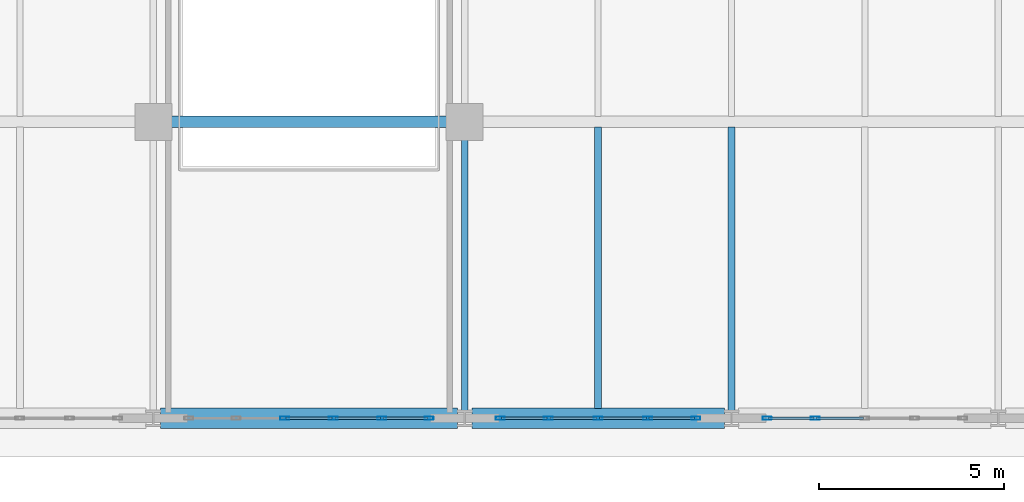
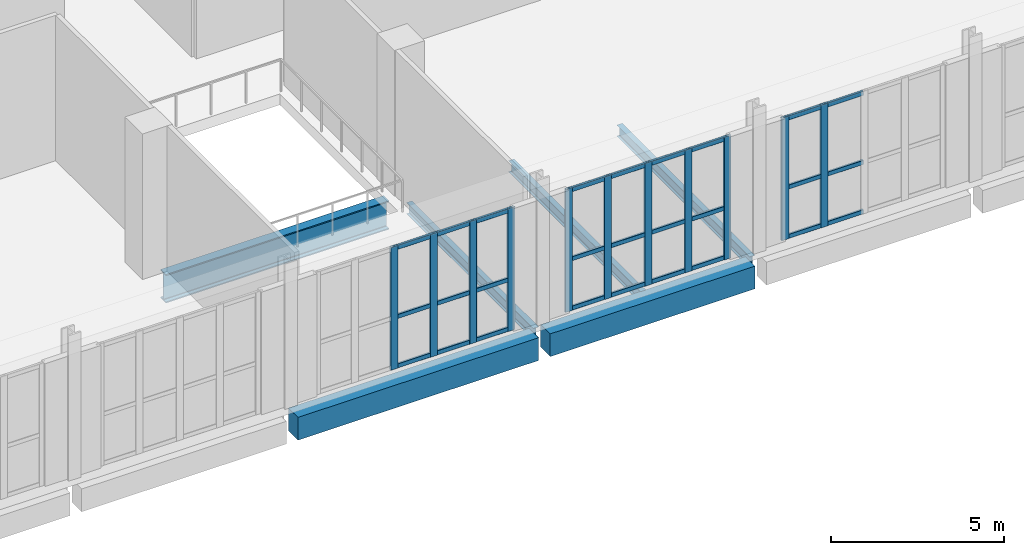
# One storey, part 8 of 26: 38 members, 6 beams, 3 elements without a shape of their own.
"""IFC4 building model written with IfcOpenShell, lengths in metres."""

from ifc_helpers import new_model, si_unit, direction, frame, origin, origin_2d, place, context, subcontext, project, spatial, rectangle, hollow_rectangle, i_section, extrude, material, layer, layer_set, material_profile, profile_set, type_object, element, aggregate, save


model = new_model("IFC4")

# Units and contexts
model_context = context("Model", 3, precision=1e-05, world=origin(), true_north=direction((0.0, 1.0)))
body_context = subcontext(model_context, "Body", "Model", "MODEL_VIEW")
ifc_project = project(units=[si_unit("LENGTHUNIT", "METRE"), si_unit("AREAUNIT", "SQUARE_METRE"), si_unit("VOLUMEUNIT", "CUBIC_METRE"), si_unit("PLANEANGLEUNIT", "RADIAN"), si_unit("MASSUNIT", "GRAM", prefix="KILO")], contexts=[model_context])

# Site, building, storey
site_placement = place(None, origin())
site = spatial("IfcSite", under=ifc_project, at=site_placement, CompositionType="ELEMENT")
building_placement = place(site_placement, origin())
building = spatial("IfcBuilding", under=site, at=building_placement, Name="Kaelvorn Grand Hotel", CompositionType="ELEMENT")
storey_placement = place(building_placement, frame((0.0, 0.0, 300.199951171875)))
storey = spatial("IfcBuildingStorey", under=building, at=storey_placement, Name="L73", CompositionType="ELEMENT", Elevation=300.199951171875)

# Beams
ifc_material_1 = material(Name="Steel S460", Category="steel")
ifc_material_profile_1 = material_profile(ifc_material_1, i_section(OverallWidth=0.302001953125, OverallDepth=1.008056640625, WebThickness=0.02099609375, FlangeThickness=0.0400390625, FilletRadius=0.024169921875, at=origin_2d()), Name="UB 1016x305x349")
ifc_profile_set_1 = profile_set([ifc_material_profile_1], Name="Steel S460")
beam_type_1 = type_object("IfcBeamType", Name="BM-G-UB1016-S460", PredefinedType="BEAM", material=ifc_profile_set_1)
beam_1_placement = place(storey_placement, frame((38.284912109375, 15.0, -0.884033203125), z_axis=(1.0, 0.0, 0.0), x_axis=(0.0, 1.0, 0.0)))
element("IfcBeam", 1, at=beam_1_placement, inside=storey, type_object=beam_type_1, Name="L73 Primary Spine Steel Girder G-15 03", PredefinedType="BEAM", context=body_context, shape_type="SweptSolid", body=[
    extrude(i_section(OverallWidth=0.302001953125, OverallDepth=1.008056640625, WebThickness=0.02099609375, FlangeThickness=0.0400390625, FilletRadius=0.024169921875, at=origin_2d()), origin(), (0.0, 0.0, 1.0), 7.43017578125),
])
ifc_material_2 = material(Name="Steel S355", Category="steel")
ifc_material_profile_2 = material_profile(ifc_material_2, i_section(OverallWidth=0.179931640625, OverallDepth=0.39990234375, WebThickness=0.008544921875, FlangeThickness=0.013427734375, FilletRadius=0.02099609375, at=origin_2d()), Name="IPE 400")
ifc_profile_set_2 = profile_set([ifc_material_profile_2], Name="Steel S355")
beam_type_2 = type_object("IfcBeamType", Name="BM-J-IPE400-S355", PredefinedType="JOIST", material=ifc_profile_set_2)
beam_2_placement = place(storey_placement, frame((46.199951171875, 7.205078125, -0.579833984375), z_axis=(0.0, 1.0, 0.0), x_axis=(-1.0, 0.0, 0.0)))
element("IfcBeam", 2, at=beam_2_placement, inside=storey, type_object=beam_type_2, Name="L73 Composite Floor Joist JS-13", PredefinedType="JOIST", context=body_context, shape_type="SweptSolid", body=[
    extrude(i_section(OverallWidth=0.179931640625, OverallDepth=0.39990234375, WebThickness=0.008544921875, FlangeThickness=0.013427734375, FilletRadius=0.02099609375, at=origin_2d()), origin(), (0.0, 0.0, 1.0), 7.309814453125),
])
beam_3_placement = place(storey_placement, frame((49.800048828125, 7.260009765625, -0.579833984375), z_axis=(0.0, 1.0, 0.0), x_axis=(-1.0, 0.0, 0.0)))
element("IfcBeam", 3, at=beam_3_placement, inside=storey, type_object=beam_type_2, Name="L73 Composite Floor Joist JS-14", PredefinedType="JOIST", context=body_context, shape_type="SweptSolid", body=[
    extrude(i_section(OverallWidth=0.179931640625, OverallDepth=0.39990234375, WebThickness=0.008544921875, FlangeThickness=0.013427734375, FilletRadius=0.02099609375, at=origin_2d()), origin(), (0.0, 0.0, 1.0), 7.60400390625),
])
beam_4_placement = place(storey_placement, frame((53.39990234375, 7.205078125, -0.579833984375), z_axis=(0.0, 1.0, 0.0), x_axis=(-1.0, 0.0, 0.0)))
element("IfcBeam", 4, at=beam_4_placement, inside=storey, type_object=beam_type_2, Name="L73 Composite Floor Joist JS-15", PredefinedType="JOIST", context=body_context, shape_type="SweptSolid", body=[
    extrude(i_section(OverallWidth=0.179931640625, OverallDepth=0.39990234375, WebThickness=0.008544921875, FlangeThickness=0.013427734375, FilletRadius=0.02099609375, at=origin_2d()), origin(), (0.0, 0.0, 1.0), 7.658935546875),
])
ifc_material_3 = material(Name="Concrete C50/60", Category="concrete")
ifc_material_profile_3 = material_profile(ifc_material_3, rectangle(XDim=0.550048828125, YDim=0.800048828125, at=origin_2d()), Name="RC SPANDREL 550x800")
ifc_profile_set_3 = profile_set([ifc_material_profile_3], Name="Concrete C50/60")
beam_type_3 = type_object("IfcBeamType", Name="BM-SP-550x800-C50", PredefinedType="SPANDREL", material=ifc_profile_set_3)
beam_5_placement = place(storey_placement, frame((37.9951171875, 7.0, -0.780029296875), z_axis=(1.0, 0.0, 0.0), x_axis=(0.0, 1.0, 0.0)))
element("IfcBeam", 5, at=beam_5_placement, inside=storey, type_object=beam_type_3, Name="L73 South Perimeter Spandrel 05", PredefinedType="SPANDREL", context=body_context, shape_type="SweptSolid", body=[
    extrude(rectangle(XDim=0.550048828125, YDim=0.800048828125, at=origin_2d()), origin(), (0.0, 0.0, 1.0), 8.009765625),
])
beam_6_placement = place(storey_placement, frame((46.39501953125, 7.0, -0.780029296875), z_axis=(1.0, 0.0, 0.0), x_axis=(0.0, 1.0, 0.0)))
element("IfcBeam", 6, at=beam_6_placement, inside=storey, type_object=beam_type_3, Name="L73 South Perimeter Spandrel 06", PredefinedType="SPANDREL", context=body_context, shape_type="SweptSolid", body=[
    extrude(rectangle(XDim=0.550048828125, YDim=0.800048828125, at=origin_2d()), origin(), (0.0, 0.0, 1.0), 6.81005859375),
])

# Curtain wall, members
ifc_material_4 = material(Name="Anodised Aluminium", Category="aluminium")
ifc_layer = layer(ifc_material_4, 0.239990234375)
ifc_layer_set = layer_set([ifc_layer], Name="Anodised Aluminium")
curtain_wall_type = type_object("IfcCurtainWallType", Name="CW-SYS5", PredefinedType="NOTDEFINED", material=ifc_layer_set)
curtain_wall_1_placement = place(storey_placement, origin())
curtain_wall_1 = element("IfcCurtainWall", 7, at=curtain_wall_1_placement, inside=storey, type_object=curtain_wall_type, Name="L73 Unitised Curtain Wall CW5 (CW-L73-S-04)", PredefinedType="NOTDEFINED")
ifc_material_profile_4 = material_profile(ifc_material_4, hollow_rectangle(XDim=0.080078125, YDim=0.239990234375, WallThickness=0.0048828125, InnerFilletRadius=0.0048828125, OuterFilletRadius=0.010009765625, at=origin_2d()), Name="ALU MULL 80x240")
ifc_profile_set_4 = profile_set([ifc_material_profile_4], Name="Anodised Aluminium")
member_type_1 = type_object("IfcMemberType", Name="CW-SYS5-MULL", PredefinedType="MULLION", material=ifc_profile_set_4)
member_1_placement = place(storey_placement, frame((41.343994140625, 7.0, 0.0), z_axis=(0.0, 0.0, 1.0), x_axis=(0.0, 1.0, 0.0)))
member_1 = element("IfcMember", 8, at=member_1_placement, type_object=member_type_1, Name="CW5 mullion 3", PredefinedType="MULLION", context=body_context, shape_type="SweptSolid", body=[
    extrude(hollow_rectangle(XDim=0.080078125, YDim=0.239990234375, WallThickness=0.0048828125, InnerFilletRadius=0.0048828125, OuterFilletRadius=0.010009765625, at=origin_2d()), origin(), (0.0, 0.0, 1.0), 4.320068359375),
])
member_2_placement = place(storey_placement, frame((42.656005859375, 7.0, 0.0), z_axis=(0.0, 0.0, 1.0), x_axis=(0.0, 1.0, 0.0)))
member_2 = element("IfcMember", 9, at=member_2_placement, type_object=member_type_1, Name="CW5 mullion 4", PredefinedType="MULLION", context=body_context, shape_type="SweptSolid", body=[
    extrude(hollow_rectangle(XDim=0.080078125, YDim=0.239990234375, WallThickness=0.0048828125, InnerFilletRadius=0.0048828125, OuterFilletRadius=0.010009765625, at=origin_2d()), origin(), (0.0, 0.0, 1.0), 4.320068359375),
])
member_3_placement = place(storey_placement, frame((43.968017578125, 7.0, 0.0), z_axis=(0.0, 0.0, 1.0), x_axis=(0.0, 1.0, 0.0)))
member_3 = element("IfcMember", 10, at=member_3_placement, type_object=member_type_1, Name="CW5 mullion 5", PredefinedType="MULLION", context=body_context, shape_type="SweptSolid", body=[
    extrude(hollow_rectangle(XDim=0.080078125, YDim=0.239990234375, WallThickness=0.0048828125, InnerFilletRadius=0.0048828125, OuterFilletRadius=0.010009765625, at=origin_2d()), origin(), (0.0, 0.0, 1.0), 4.320068359375),
])
member_4_placement = place(storey_placement, frame((45.239990234375, 7.0, 0.0), z_axis=(0.0, 0.0, 1.0), x_axis=(0.0, 1.0, 0.0)))
member_4 = element("IfcMember", 11, at=member_4_placement, type_object=member_type_1, Name="CW5 mullion 6", PredefinedType="MULLION", context=body_context, shape_type="SweptSolid", body=[
    extrude(hollow_rectangle(XDim=0.080078125, YDim=0.239990234375, WallThickness=0.0048828125, InnerFilletRadius=0.0048828125, OuterFilletRadius=0.010009765625, at=origin_2d()), origin(), (0.0, 0.0, 1.0), 4.320068359375),
])

curtain_wall_2_placement = place(storey_placement, origin())
curtain_wall_2 = element("IfcCurtainWall", 12, at=curtain_wall_2_placement, inside=storey, type_object=curtain_wall_type, Name="L73 Unitised Curtain Wall CW5 (CW-L73-S-05)", PredefinedType="NOTDEFINED")
member_5_placement = place(storey_placement, frame((47.159912109375, 7.0, 0.0), z_axis=(0.0, 0.0, 1.0), x_axis=(0.0, 1.0, 0.0)))
member_5 = element("IfcMember", 13, at=member_5_placement, type_object=member_type_1, Name="CW5 mullion 1", PredefinedType="MULLION", context=body_context, shape_type="SweptSolid", body=[
    extrude(hollow_rectangle(XDim=0.080078125, YDim=0.239990234375, WallThickness=0.0048828125, InnerFilletRadius=0.0048828125, OuterFilletRadius=0.010009765625, at=origin_2d()), origin(), (0.0, 0.0, 1.0), 4.320068359375),
])
member_6_placement = place(storey_placement, frame((48.4599609375, 7.0, 0.0), z_axis=(0.0, 0.0, 1.0), x_axis=(0.0, 1.0, 0.0)))
member_6 = element("IfcMember", 14, at=member_6_placement, type_object=member_type_1, Name="CW5 mullion 2", PredefinedType="MULLION", context=body_context, shape_type="SweptSolid", body=[
    extrude(hollow_rectangle(XDim=0.080078125, YDim=0.239990234375, WallThickness=0.0048828125, InnerFilletRadius=0.0048828125, OuterFilletRadius=0.010009765625, at=origin_2d()), origin(), (0.0, 0.0, 1.0), 4.320068359375),
])
member_7_placement = place(storey_placement, frame((49.800048828125, 7.0, 0.0), z_axis=(0.0, 0.0, 1.0), x_axis=(0.0, 1.0, 0.0)))
member_7 = element("IfcMember", 15, at=member_7_placement, type_object=member_type_1, Name="CW5 mullion 3", PredefinedType="MULLION", context=body_context, shape_type="SweptSolid", body=[
    extrude(hollow_rectangle(XDim=0.080078125, YDim=0.239990234375, WallThickness=0.0048828125, InnerFilletRadius=0.0048828125, OuterFilletRadius=0.010009765625, at=origin_2d()), origin(), (0.0, 0.0, 1.0), 4.320068359375),
])
member_8_placement = place(storey_placement, frame((51.139892578125, 7.0, 0.0), z_axis=(0.0, 0.0, 1.0), x_axis=(0.0, 1.0, 0.0)))
member_8 = element("IfcMember", 16, at=member_8_placement, type_object=member_type_1, Name="CW5 mullion 4", PredefinedType="MULLION", context=body_context, shape_type="SweptSolid", body=[
    extrude(hollow_rectangle(XDim=0.080078125, YDim=0.239990234375, WallThickness=0.0048828125, InnerFilletRadius=0.0048828125, OuterFilletRadius=0.010009765625, at=origin_2d()), origin(), (0.0, 0.0, 1.0), 4.320068359375),
])
member_9_placement = place(storey_placement, frame((52.43994140625, 7.0, 0.0), z_axis=(0.0, 0.0, 1.0), x_axis=(0.0, 1.0, 0.0)))
member_9 = element("IfcMember", 17, at=member_9_placement, type_object=member_type_1, Name="CW5 mullion 5", PredefinedType="MULLION", context=body_context, shape_type="SweptSolid", body=[
    extrude(hollow_rectangle(XDim=0.080078125, YDim=0.239990234375, WallThickness=0.0048828125, InnerFilletRadius=0.0048828125, OuterFilletRadius=0.010009765625, at=origin_2d()), origin(), (0.0, 0.0, 1.0), 4.320068359375),
])

curtain_wall_3_placement = place(storey_placement, origin())
curtain_wall_3 = element("IfcCurtainWall", 18, at=curtain_wall_3_placement, inside=storey, type_object=curtain_wall_type, Name="L73 Unitised Curtain Wall CW5 (CW-L73-S-06)", PredefinedType="NOTDEFINED")
member_10_placement = place(storey_placement, frame((54.360107421875, 7.0, 0.0), z_axis=(0.0, 0.0, 1.0), x_axis=(0.0, 1.0, 0.0)))
member_10 = element("IfcMember", 19, at=member_10_placement, type_object=member_type_1, Name="CW5 mullion 1", PredefinedType="MULLION", context=body_context, shape_type="SweptSolid", body=[
    extrude(hollow_rectangle(XDim=0.080078125, YDim=0.239990234375, WallThickness=0.0048828125, InnerFilletRadius=0.0048828125, OuterFilletRadius=0.010009765625, at=origin_2d()), origin(), (0.0, 0.0, 1.0), 4.320068359375),
])
member_11_placement = place(storey_placement, frame((55.659912109375, 7.0, 0.0), z_axis=(0.0, 0.0, 1.0), x_axis=(0.0, 1.0, 0.0)))
member_11 = element("IfcMember", 20, at=member_11_placement, type_object=member_type_1, Name="CW5 mullion 2", PredefinedType="MULLION", context=body_context, shape_type="SweptSolid", body=[
    extrude(hollow_rectangle(XDim=0.080078125, YDim=0.239990234375, WallThickness=0.0048828125, InnerFilletRadius=0.0048828125, OuterFilletRadius=0.010009765625, at=origin_2d()), origin(), (0.0, 0.0, 1.0), 4.320068359375),
])

# Member
ifc_material_profile_5 = material_profile(ifc_material_4, hollow_rectangle(XDim=0.074951171875, YDim=0.14990234375, WallThickness=0.00390625, InnerFilletRadius=0.00390625, OuterFilletRadius=0.008056640625, at=origin_2d()), Name="ALU TRAN 75x150")
ifc_profile_set_5 = profile_set([ifc_material_profile_5], Name="Anodised Aluminium")
member_type_2 = type_object("IfcMemberType", Name="CW-SYS5-TRAN", PredefinedType="NOTDEFINED", material=ifc_profile_set_5)
member_12_placement = place(storey_placement, frame((41.384033203125, 7.0, 0.074951171875), z_axis=(1.0, 0.0, 0.0), x_axis=(0.0, 1.0, 0.0)))
member_12 = element("IfcMember", 21, at=member_12_placement, type_object=member_type_2, Name="CW5 transom 3.1", ObjectType="TRANSOM", PredefinedType="USERDEFINED", context=body_context, shape_type="SweptSolid", body=[
    extrude(hollow_rectangle(XDim=0.074951171875, YDim=0.14990234375, WallThickness=0.00390625, InnerFilletRadius=0.00390625, OuterFilletRadius=0.008056640625, at=origin_2d()), origin(), (0.0, 0.0, 1.0), 1.23193359375),
])

member_13_placement = place(storey_placement, frame((41.384033203125, 7.0, 1.814453125), z_axis=(1.0, 0.0, 0.0), x_axis=(0.0, 1.0, 0.0)))
member_13 = element("IfcMember", 22, at=member_13_placement, type_object=member_type_2, Name="CW5 transom 3.2", ObjectType="TRANSOM", PredefinedType="USERDEFINED", context=body_context, shape_type="SweptSolid", body=[
    extrude(hollow_rectangle(XDim=0.074951171875, YDim=0.14990234375, WallThickness=0.00390625, InnerFilletRadius=0.00390625, OuterFilletRadius=0.008056640625, at=origin_2d()), origin(), (0.0, 0.0, 1.0), 1.23193359375),
])

member_14_placement = place(storey_placement, frame((41.384033203125, 7.0, 4.2451171875), z_axis=(1.0, 0.0, 0.0), x_axis=(0.0, 1.0, 0.0)))
member_14 = element("IfcMember", 23, at=member_14_placement, type_object=member_type_2, Name="CW5 transom 3.3", ObjectType="TRANSOM", PredefinedType="USERDEFINED", context=body_context, shape_type="SweptSolid", body=[
    extrude(hollow_rectangle(XDim=0.074951171875, YDim=0.14990234375, WallThickness=0.00390625, InnerFilletRadius=0.00390625, OuterFilletRadius=0.008056640625, at=origin_2d()), origin(), (0.0, 0.0, 1.0), 1.23193359375),
])

member_15_placement = place(storey_placement, frame((42.696044921875, 7.0, 0.074951171875), z_axis=(1.0, 0.0, 0.0), x_axis=(0.0, 1.0, 0.0)))
member_15 = element("IfcMember", 24, at=member_15_placement, type_object=member_type_2, Name="CW5 transom 4.1", ObjectType="TRANSOM", PredefinedType="USERDEFINED", context=body_context, shape_type="SweptSolid", body=[
    extrude(hollow_rectangle(XDim=0.074951171875, YDim=0.14990234375, WallThickness=0.00390625, InnerFilletRadius=0.00390625, OuterFilletRadius=0.008056640625, at=origin_2d()), origin(), (0.0, 0.0, 1.0), 1.23193359375),
])

member_16_placement = place(storey_placement, frame((42.696044921875, 7.0, 1.814453125), z_axis=(1.0, 0.0, 0.0), x_axis=(0.0, 1.0, 0.0)))
member_16 = element("IfcMember", 25, at=member_16_placement, type_object=member_type_2, Name="CW5 transom 4.2", ObjectType="TRANSOM", PredefinedType="USERDEFINED", context=body_context, shape_type="SweptSolid", body=[
    extrude(hollow_rectangle(XDim=0.074951171875, YDim=0.14990234375, WallThickness=0.00390625, InnerFilletRadius=0.00390625, OuterFilletRadius=0.008056640625, at=origin_2d()), origin(), (0.0, 0.0, 1.0), 1.23193359375),
])

member_17_placement = place(storey_placement, frame((42.696044921875, 7.0, 4.2451171875), z_axis=(1.0, 0.0, 0.0), x_axis=(0.0, 1.0, 0.0)))
member_17 = element("IfcMember", 26, at=member_17_placement, type_object=member_type_2, Name="CW5 transom 4.3", ObjectType="TRANSOM", PredefinedType="USERDEFINED", context=body_context, shape_type="SweptSolid", body=[
    extrude(hollow_rectangle(XDim=0.074951171875, YDim=0.14990234375, WallThickness=0.00390625, InnerFilletRadius=0.00390625, OuterFilletRadius=0.008056640625, at=origin_2d()), origin(), (0.0, 0.0, 1.0), 1.23193359375),
])

member_18_placement = place(storey_placement, frame((44.008056640625, 7.0, 0.074951171875), z_axis=(1.0, 0.0, 0.0), x_axis=(0.0, 1.0, 0.0)))
member_18 = element("IfcMember", 27, at=member_18_placement, type_object=member_type_2, Name="CW5 transom 5.1", ObjectType="TRANSOM", PredefinedType="USERDEFINED", context=body_context, shape_type="SweptSolid", body=[
    extrude(hollow_rectangle(XDim=0.074951171875, YDim=0.14990234375, WallThickness=0.00390625, InnerFilletRadius=0.00390625, OuterFilletRadius=0.008056640625, at=origin_2d()), origin(), (0.0, 0.0, 1.0), 1.19189453125),
])

member_19_placement = place(storey_placement, frame((44.008056640625, 7.0, 1.814453125), z_axis=(1.0, 0.0, 0.0), x_axis=(0.0, 1.0, 0.0)))
member_19 = element("IfcMember", 28, at=member_19_placement, type_object=member_type_2, Name="CW5 transom 5.2", ObjectType="TRANSOM", PredefinedType="USERDEFINED", context=body_context, shape_type="SweptSolid", body=[
    extrude(hollow_rectangle(XDim=0.074951171875, YDim=0.14990234375, WallThickness=0.00390625, InnerFilletRadius=0.00390625, OuterFilletRadius=0.008056640625, at=origin_2d()), origin(), (0.0, 0.0, 1.0), 1.19189453125),
])

member_20_placement = place(storey_placement, frame((44.008056640625, 7.0, 4.2451171875), z_axis=(1.0, 0.0, 0.0), x_axis=(0.0, 1.0, 0.0)))
member_20 = element("IfcMember", 29, at=member_20_placement, type_object=member_type_2, Name="CW5 transom 5.3", ObjectType="TRANSOM", PredefinedType="USERDEFINED", context=body_context, shape_type="SweptSolid", body=[
    extrude(hollow_rectangle(XDim=0.074951171875, YDim=0.14990234375, WallThickness=0.00390625, InnerFilletRadius=0.00390625, OuterFilletRadius=0.008056640625, at=origin_2d()), origin(), (0.0, 0.0, 1.0), 1.19189453125),
])

aggregate(curtain_wall_1, [member_1, member_2, member_3, member_4, member_12, member_13, member_14, member_15, member_16, member_17, member_18, member_19, member_20])

member_21_placement = place(storey_placement, frame((47.199951171875, 7.0, 0.074951171875), z_axis=(1.0, 0.0, 0.0), x_axis=(0.0, 1.0, 0.0)))
member_21 = element("IfcMember", 30, at=member_21_placement, type_object=member_type_2, Name="CW5 transom 1.1", ObjectType="TRANSOM", PredefinedType="USERDEFINED", context=body_context, shape_type="SweptSolid", body=[
    extrude(hollow_rectangle(XDim=0.074951171875, YDim=0.14990234375, WallThickness=0.00390625, InnerFilletRadius=0.00390625, OuterFilletRadius=0.008056640625, at=origin_2d()), origin(), (0.0, 0.0, 1.0), 1.219970703125),
])

member_22_placement = place(storey_placement, frame((47.199951171875, 7.0, 1.814453125), z_axis=(1.0, 0.0, 0.0), x_axis=(0.0, 1.0, 0.0)))
member_22 = element("IfcMember", 31, at=member_22_placement, type_object=member_type_2, Name="CW5 transom 1.2", ObjectType="TRANSOM", PredefinedType="USERDEFINED", context=body_context, shape_type="SweptSolid", body=[
    extrude(hollow_rectangle(XDim=0.074951171875, YDim=0.14990234375, WallThickness=0.00390625, InnerFilletRadius=0.00390625, OuterFilletRadius=0.008056640625, at=origin_2d()), origin(), (0.0, 0.0, 1.0), 1.219970703125),
])

member_23_placement = place(storey_placement, frame((47.199951171875, 7.0, 4.2451171875), z_axis=(1.0, 0.0, 0.0), x_axis=(0.0, 1.0, 0.0)))
member_23 = element("IfcMember", 32, at=member_23_placement, type_object=member_type_2, Name="CW5 transom 1.3", ObjectType="TRANSOM", PredefinedType="USERDEFINED", context=body_context, shape_type="SweptSolid", body=[
    extrude(hollow_rectangle(XDim=0.074951171875, YDim=0.14990234375, WallThickness=0.00390625, InnerFilletRadius=0.00390625, OuterFilletRadius=0.008056640625, at=origin_2d()), origin(), (0.0, 0.0, 1.0), 1.219970703125),
])

member_24_placement = place(storey_placement, frame((48.5, 7.0, 0.074951171875), z_axis=(1.0, 0.0, 0.0), x_axis=(0.0, 1.0, 0.0)))
member_24 = element("IfcMember", 33, at=member_24_placement, type_object=member_type_2, Name="CW5 transom 2.1", ObjectType="TRANSOM", PredefinedType="USERDEFINED", context=body_context, shape_type="SweptSolid", body=[
    extrude(hollow_rectangle(XDim=0.074951171875, YDim=0.14990234375, WallThickness=0.00390625, InnerFilletRadius=0.00390625, OuterFilletRadius=0.008056640625, at=origin_2d()), origin(), (0.0, 0.0, 1.0), 1.260009765625),
])

member_25_placement = place(storey_placement, frame((48.5, 7.0, 1.814453125), z_axis=(1.0, 0.0, 0.0), x_axis=(0.0, 1.0, 0.0)))
member_25 = element("IfcMember", 34, at=member_25_placement, type_object=member_type_2, Name="CW5 transom 2.2", ObjectType="TRANSOM", PredefinedType="USERDEFINED", context=body_context, shape_type="SweptSolid", body=[
    extrude(hollow_rectangle(XDim=0.074951171875, YDim=0.14990234375, WallThickness=0.00390625, InnerFilletRadius=0.00390625, OuterFilletRadius=0.008056640625, at=origin_2d()), origin(), (0.0, 0.0, 1.0), 1.260009765625),
])

member_26_placement = place(storey_placement, frame((48.5, 7.0, 4.2451171875), z_axis=(1.0, 0.0, 0.0), x_axis=(0.0, 1.0, 0.0)))
member_26 = element("IfcMember", 35, at=member_26_placement, type_object=member_type_2, Name="CW5 transom 2.3", ObjectType="TRANSOM", PredefinedType="USERDEFINED", context=body_context, shape_type="SweptSolid", body=[
    extrude(hollow_rectangle(XDim=0.074951171875, YDim=0.14990234375, WallThickness=0.00390625, InnerFilletRadius=0.00390625, OuterFilletRadius=0.008056640625, at=origin_2d()), origin(), (0.0, 0.0, 1.0), 1.260009765625),
])

member_27_placement = place(storey_placement, frame((49.840087890625, 7.0, 0.074951171875), z_axis=(1.0, 0.0, 0.0), x_axis=(0.0, 1.0, 0.0)))
member_27 = element("IfcMember", 36, at=member_27_placement, type_object=member_type_2, Name="CW5 transom 3.1", ObjectType="TRANSOM", PredefinedType="USERDEFINED", context=body_context, shape_type="SweptSolid", body=[
    extrude(hollow_rectangle(XDim=0.074951171875, YDim=0.14990234375, WallThickness=0.00390625, InnerFilletRadius=0.00390625, OuterFilletRadius=0.008056640625, at=origin_2d()), origin(), (0.0, 0.0, 1.0), 1.260009765625),
])

member_28_placement = place(storey_placement, frame((49.840087890625, 7.0, 1.814453125), z_axis=(1.0, 0.0, 0.0), x_axis=(0.0, 1.0, 0.0)))
member_28 = element("IfcMember", 37, at=member_28_placement, type_object=member_type_2, Name="CW5 transom 3.2", ObjectType="TRANSOM", PredefinedType="USERDEFINED", context=body_context, shape_type="SweptSolid", body=[
    extrude(hollow_rectangle(XDim=0.074951171875, YDim=0.14990234375, WallThickness=0.00390625, InnerFilletRadius=0.00390625, OuterFilletRadius=0.008056640625, at=origin_2d()), origin(), (0.0, 0.0, 1.0), 1.260009765625),
])

member_29_placement = place(storey_placement, frame((49.840087890625, 7.0, 4.2451171875), z_axis=(1.0, 0.0, 0.0), x_axis=(0.0, 1.0, 0.0)))
member_29 = element("IfcMember", 38, at=member_29_placement, type_object=member_type_2, Name="CW5 transom 3.3", ObjectType="TRANSOM", PredefinedType="USERDEFINED", context=body_context, shape_type="SweptSolid", body=[
    extrude(hollow_rectangle(XDim=0.074951171875, YDim=0.14990234375, WallThickness=0.00390625, InnerFilletRadius=0.00390625, OuterFilletRadius=0.008056640625, at=origin_2d()), origin(), (0.0, 0.0, 1.0), 1.260009765625),
])

member_30_placement = place(storey_placement, frame((51.179931640625, 7.0, 0.074951171875), z_axis=(1.0, 0.0, 0.0), x_axis=(0.0, 1.0, 0.0)))
member_30 = element("IfcMember", 39, at=member_30_placement, type_object=member_type_2, Name="CW5 transom 4.1", ObjectType="TRANSOM", PredefinedType="USERDEFINED", context=body_context, shape_type="SweptSolid", body=[
    extrude(hollow_rectangle(XDim=0.074951171875, YDim=0.14990234375, WallThickness=0.00390625, InnerFilletRadius=0.00390625, OuterFilletRadius=0.008056640625, at=origin_2d()), origin(), (0.0, 0.0, 1.0), 1.219970703125),
])

member_31_placement = place(storey_placement, frame((51.179931640625, 7.0, 1.814453125), z_axis=(1.0, 0.0, 0.0), x_axis=(0.0, 1.0, 0.0)))
member_31 = element("IfcMember", 40, at=member_31_placement, type_object=member_type_2, Name="CW5 transom 4.2", ObjectType="TRANSOM", PredefinedType="USERDEFINED", context=body_context, shape_type="SweptSolid", body=[
    extrude(hollow_rectangle(XDim=0.074951171875, YDim=0.14990234375, WallThickness=0.00390625, InnerFilletRadius=0.00390625, OuterFilletRadius=0.008056640625, at=origin_2d()), origin(), (0.0, 0.0, 1.0), 1.219970703125),
])

member_32_placement = place(storey_placement, frame((51.179931640625, 7.0, 4.2451171875), z_axis=(1.0, 0.0, 0.0), x_axis=(0.0, 1.0, 0.0)))
member_32 = element("IfcMember", 41, at=member_32_placement, type_object=member_type_2, Name="CW5 transom 4.3", ObjectType="TRANSOM", PredefinedType="USERDEFINED", context=body_context, shape_type="SweptSolid", body=[
    extrude(hollow_rectangle(XDim=0.074951171875, YDim=0.14990234375, WallThickness=0.00390625, InnerFilletRadius=0.00390625, OuterFilletRadius=0.008056640625, at=origin_2d()), origin(), (0.0, 0.0, 1.0), 1.219970703125),
])

aggregate(curtain_wall_2, [member_5, member_6, member_7, member_8, member_9, member_21, member_22, member_23, member_24, member_25, member_26, member_27, member_28, member_29, member_30, member_31, member_32])

member_33_placement = place(storey_placement, frame((54.39990234375, 7.0, 0.074951171875), z_axis=(1.0, 0.0, 0.0), x_axis=(0.0, 1.0, 0.0)))
member_33 = element("IfcMember", 42, at=member_33_placement, type_object=member_type_2, Name="CW5 transom 1.1", ObjectType="TRANSOM", PredefinedType="USERDEFINED", context=body_context, shape_type="SweptSolid", body=[
    extrude(hollow_rectangle(XDim=0.074951171875, YDim=0.14990234375, WallThickness=0.00390625, InnerFilletRadius=0.00390625, OuterFilletRadius=0.008056640625, at=origin_2d()), origin(), (0.0, 0.0, 1.0), 1.22021484375),
])

member_34_placement = place(storey_placement, frame((54.39990234375, 7.0, 1.814453125), z_axis=(1.0, 0.0, 0.0), x_axis=(0.0, 1.0, 0.0)))
member_34 = element("IfcMember", 43, at=member_34_placement, type_object=member_type_2, Name="CW5 transom 1.2", ObjectType="TRANSOM", PredefinedType="USERDEFINED", context=body_context, shape_type="SweptSolid", body=[
    extrude(hollow_rectangle(XDim=0.074951171875, YDim=0.14990234375, WallThickness=0.00390625, InnerFilletRadius=0.00390625, OuterFilletRadius=0.008056640625, at=origin_2d()), origin(), (0.0, 0.0, 1.0), 1.22021484375),
])

member_35_placement = place(storey_placement, frame((54.39990234375, 7.0, 4.2451171875), z_axis=(1.0, 0.0, 0.0), x_axis=(0.0, 1.0, 0.0)))
member_35 = element("IfcMember", 44, at=member_35_placement, type_object=member_type_2, Name="CW5 transom 1.3", ObjectType="TRANSOM", PredefinedType="USERDEFINED", context=body_context, shape_type="SweptSolid", body=[
    extrude(hollow_rectangle(XDim=0.074951171875, YDim=0.14990234375, WallThickness=0.00390625, InnerFilletRadius=0.00390625, OuterFilletRadius=0.008056640625, at=origin_2d()), origin(), (0.0, 0.0, 1.0), 1.22021484375),
])

member_36_placement = place(storey_placement, frame((55.699951171875, 7.0, 0.074951171875), z_axis=(1.0, 0.0, 0.0), x_axis=(0.0, 1.0, 0.0)))
member_36 = element("IfcMember", 45, at=member_36_placement, type_object=member_type_2, Name="CW5 transom 2.1", ObjectType="TRANSOM", PredefinedType="USERDEFINED", context=body_context, shape_type="SweptSolid", body=[
    extrude(hollow_rectangle(XDim=0.074951171875, YDim=0.14990234375, WallThickness=0.00390625, InnerFilletRadius=0.00390625, OuterFilletRadius=0.008056640625, at=origin_2d()), origin(), (0.0, 0.0, 1.0), 1.260009765625),
])

member_37_placement = place(storey_placement, frame((55.699951171875, 7.0, 1.814453125), z_axis=(1.0, 0.0, 0.0), x_axis=(0.0, 1.0, 0.0)))
member_37 = element("IfcMember", 46, at=member_37_placement, type_object=member_type_2, Name="CW5 transom 2.2", ObjectType="TRANSOM", PredefinedType="USERDEFINED", context=body_context, shape_type="SweptSolid", body=[
    extrude(hollow_rectangle(XDim=0.074951171875, YDim=0.14990234375, WallThickness=0.00390625, InnerFilletRadius=0.00390625, OuterFilletRadius=0.008056640625, at=origin_2d()), origin(), (0.0, 0.0, 1.0), 1.260009765625),
])

member_38_placement = place(storey_placement, frame((55.699951171875, 7.0, 4.2451171875), z_axis=(1.0, 0.0, 0.0), x_axis=(0.0, 1.0, 0.0)))
member_38 = element("IfcMember", 47, at=member_38_placement, type_object=member_type_2, Name="CW5 transom 2.3", ObjectType="TRANSOM", PredefinedType="USERDEFINED", context=body_context, shape_type="SweptSolid", body=[
    extrude(hollow_rectangle(XDim=0.074951171875, YDim=0.14990234375, WallThickness=0.00390625, InnerFilletRadius=0.00390625, OuterFilletRadius=0.008056640625, at=origin_2d()), origin(), (0.0, 0.0, 1.0), 1.260009765625),
])

aggregate(curtain_wall_3, [member_10, member_11, member_33, member_34, member_35, member_36, member_37, member_38])

save(model, "model.ifc")
